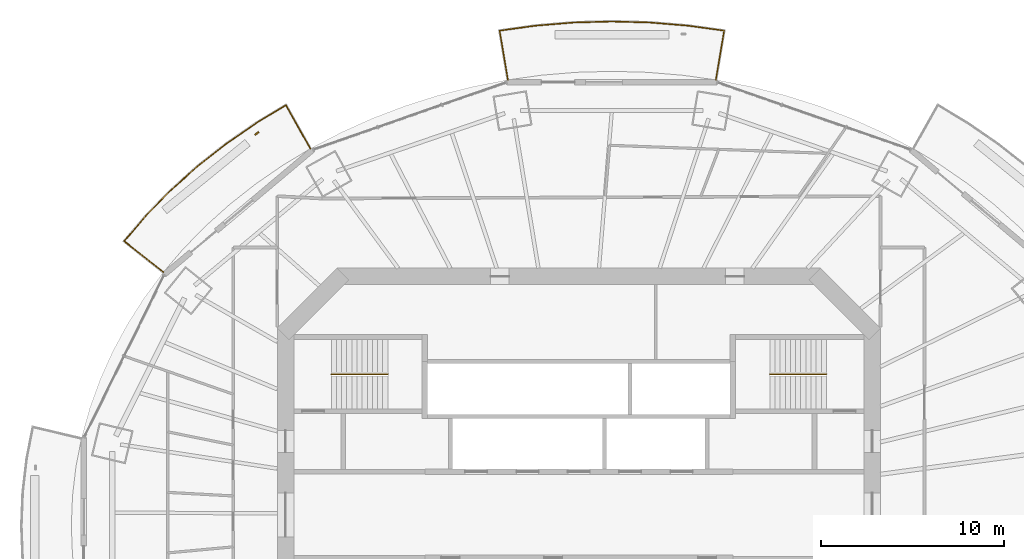
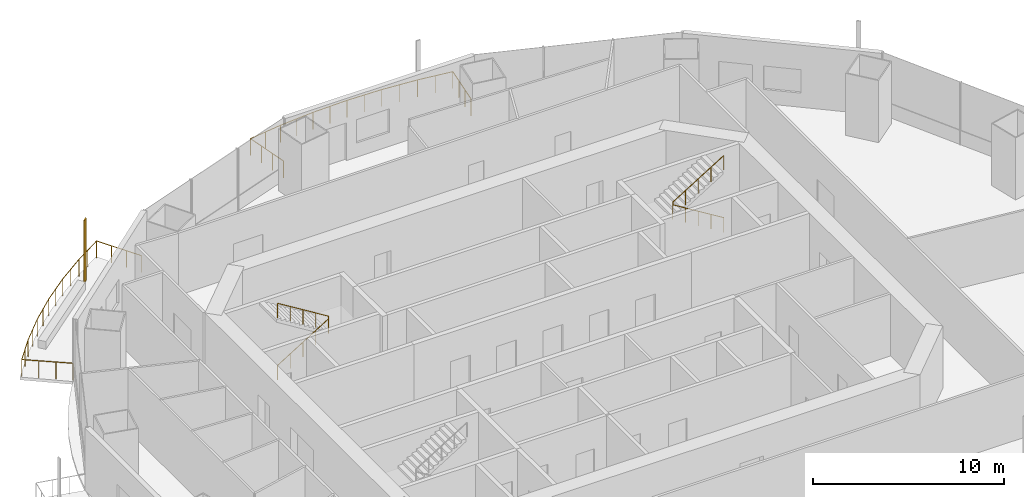
# One storey, part 16 of 18: 4 railings, 1 shading device.
"""IFC4 building model written with IfcOpenShell, lengths in metres."""

from ifc_helpers import new_model, si_unit, direction, frame, origin, origin_2d, place, context, subcontext, project, spatial, rectangle, circle, extrude, material, material_profile, profile_set, type_object, element, save


model = new_model("IFC4")

# Units and contexts
model_context = context("Model", 3, precision=1e-05, world=origin(), true_north=direction((0.0, 1.0)))
body_context = subcontext(model_context, "Body", "Model", "MODEL_VIEW")
ifc_project = project(units=[si_unit("LENGTHUNIT", "METRE"), si_unit("AREAUNIT", "SQUARE_METRE"), si_unit("VOLUMEUNIT", "CUBIC_METRE"), si_unit("PLANEANGLEUNIT", "RADIAN"), si_unit("MASSUNIT", "GRAM", prefix="KILO")], contexts=[model_context])

# Site, building, storey
site_placement = place(None, origin())
site = spatial("IfcSite", under=ifc_project, at=site_placement, CompositionType="ELEMENT")
building_placement = place(site_placement, origin())
building = spatial("IfcBuilding", under=site, at=building_placement, Name="Marenthal Gate Tower", CompositionType="ELEMENT")
storey_placement = place(building_placement, frame((0.0, 0.0, 264.800048828125)))
storey = spatial("IfcBuildingStorey", under=building, at=storey_placement, Name="L59", CompositionType="ELEMENT", Elevation=264.800048828125)

# Railings
ifc_material_1 = material(Name="Stainless steel", Category="steel")
railing_type_1 = type_object("IfcRailingType", Name="Balcony guard 1100", PredefinedType="GUARDRAIL", material=ifc_material_1)
railing_1_placement = place(storey_placement, frame((-3.87255859375, 23.724853515625, 0.0)))
element("IfcRailing", 1, at=railing_1_placement, inside=storey, type_object=railing_type_1, Name="Balcony guard L59 bay 4", PredefinedType="GUARDRAIL", context=body_context, shape_type="SweptSolid", body=[
    extrude(circle(Radius=0.02392578125, at=origin_2d()), frame((0.0, 0.0, 1.076171875), z_axis=(-0.16513793129, 0.986160646201, -0.014718815615), x_axis=(-0.986267486225, -0.165155822229, 0.0)), (0.0, 0.0, 1.0), 2.72021484375),
    extrude(circle(Radius=0.02392578125, at=origin_2d()), frame((-0.44921875, 2.6826171875, 1.0361328125), z_axis=(0.990645127647, 0.136463295684, 0.0), x_axis=(-0.136463295684, 0.990645127647, 0.0)), (0.0, 0.0, 1.0), 1.992919921875),
    extrude(circle(Radius=0.02392578125, at=origin_2d()), frame((1.525146484375, 2.95458984375, 1.0361328125), z_axis=(0.996588596439, 0.082529809449, 0.0), x_axis=(-0.082529809449, 0.996588596439, 0.0)), (0.0, 0.0, 1.0), 2.07666015625),
    extrude(circle(Radius=0.02392578125, at=origin_2d()), frame((3.5947265625, 3.1259765625, 1.0361328125), z_axis=(0.999622258755, 0.027483445958, 0.0), x_axis=(-0.027483445958, 0.999622258755, 0.0)), (0.0, 0.0, 1.0), 2.07861328125),
    extrude(circle(Radius=0.02392578125, at=origin_2d()), frame((5.672607421875, 3.18310546875, 1.0361328125), z_axis=(0.999622258755, -0.027483445958, 0.0), x_axis=(0.027483445958, 0.999622258755, 0.0)), (0.0, 0.0, 1.0), 2.07861328125),
    extrude(circle(Radius=0.02392578125, at=origin_2d()), frame((7.75048828125, 3.1259765625, 1.0361328125), z_axis=(0.996588596439, -0.082529809449, 0.0), x_axis=(0.082529809449, 0.996588596439, 0.0)), (0.0, 0.0, 1.0), 2.07666015625),
    extrude(circle(Radius=0.02392578125, at=origin_2d()), frame((9.820068359375, 2.95458984375, 1.0361328125), z_axis=(0.990642846037, -0.136479857839, 0.0), x_axis=(0.136479857839, 0.990642846037, 0.0)), (0.0, 0.0, 1.0), 1.99267578125),
    extrude(circle(Radius=0.02392578125, at=origin_2d()), frame((11.794189453125, 2.6826171875, 1.0361328125), z_axis=(-0.165050627973, -0.986175258386, 0.014719033707), x_axis=(0.986282103159, -0.165068509984, 0.0)), (0.0, 0.0, 1.0), 2.72021484375),
    extrude(circle(Radius=0.02099609375, at=origin_2d()), origin(), (0.0, 0.0, 1.0), 1.052001953125),
    extrude(circle(Radius=0.02099609375, at=origin_2d()), frame((-0.149658203125, 0.894287109375, -0.013427734375)), (0.0, 0.0, 1.0), 1.052001953125),
    extrude(circle(Radius=0.02099609375, at=origin_2d()), frame((-0.299560546875, 1.788330078125, -0.026611328125)), (0.0, 0.0, 1.0), 1.052001953125),
    extrude(circle(Radius=0.02099609375, at=origin_2d()), frame((-0.44921875, 2.6826171875, -0.0400390625)), (0.0, 0.0, 1.0), 1.052001953125),
    extrude(circle(Radius=0.02099609375, at=origin_2d()), frame((0.5380859375, 2.818603515625, -0.0400390625)), (0.0, 0.0, 1.0), 1.052001953125),
    extrude(circle(Radius=0.02099609375, at=origin_2d()), frame((1.525146484375, 2.95458984375, -0.0400390625)), (0.0, 0.0, 1.0), 1.052001953125),
    extrude(circle(Radius=0.02099609375, at=origin_2d()), frame((2.56005859375, 3.040283203125, -0.0400390625)), (0.0, 0.0, 1.0), 1.052001953125),
    extrude(circle(Radius=0.02099609375, at=origin_2d()), frame((3.5947265625, 3.1259765625, -0.0400390625)), (0.0, 0.0, 1.0), 1.052001953125),
    extrude(circle(Radius=0.02099609375, at=origin_2d()), frame((4.6337890625, 3.154541015625, -0.0400390625)), (0.0, 0.0, 1.0), 1.052001953125),
    extrude(circle(Radius=0.02099609375, at=origin_2d()), frame((5.672607421875, 3.18310546875, -0.0400390625)), (0.0, 0.0, 1.0), 1.052001953125),
    extrude(circle(Radius=0.02099609375, at=origin_2d()), frame((6.71142578125, 3.154541015625, -0.0400390625)), (0.0, 0.0, 1.0), 1.052001953125),
    extrude(circle(Radius=0.02099609375, at=origin_2d()), frame((7.75048828125, 3.1259765625, -0.0400390625)), (0.0, 0.0, 1.0), 1.052001953125),
    extrude(circle(Radius=0.02099609375, at=origin_2d()), frame((8.78515625, 3.040283203125, -0.0400390625)), (0.0, 0.0, 1.0), 1.052001953125),
    extrude(circle(Radius=0.02099609375, at=origin_2d()), frame((9.820068359375, 2.95458984375, -0.0400390625)), (0.0, 0.0, 1.0), 1.052001953125),
    extrude(circle(Radius=0.02099609375, at=origin_2d()), frame((10.80712890625, 2.818603515625, -0.0400390625)), (0.0, 0.0, 1.0), 1.052001953125),
    extrude(circle(Radius=0.02099609375, at=origin_2d()), frame((11.794189453125, 2.6826171875, -0.0400390625)), (0.0, 0.0, 1.0), 1.052001953125),
    extrude(circle(Radius=0.02099609375, at=origin_2d()), frame((11.64453125, 1.788330078125, -0.026611328125)), (0.0, 0.0, 1.0), 1.052001953125),
    extrude(circle(Radius=0.02099609375, at=origin_2d()), frame((11.494873046875, 0.894287109375, -0.013427734375)), (0.0, 0.0, 1.0), 1.052001953125),
    extrude(circle(Radius=0.02099609375, at=origin_2d()), frame((11.34521484375, 0.0, 0.0)), (0.0, 0.0, 1.0), 1.052001953125),
])
railing_2_placement = place(storey_placement, frame((-22.662841796875, 13.234130859375, 0.0)))
element("IfcRailing", 2, at=railing_2_placement, inside=storey, type_object=railing_type_1, Name="Balcony guard L59 bay 6", PredefinedType="GUARDRAIL", context=body_context, shape_type="SweptSolid", body=[
    extrude(circle(Radius=0.02392578125, at=origin_2d()), frame((0.0, 0.0, 1.076171875), z_axis=(-0.783133988628, 0.621678792027, -0.014718539323), x_axis=(-0.621746141787, -0.783218829685, 0.0)), (0.0, 0.0, 1.0), 2.72021484375),
    extrude(circle(Radius=0.02392578125, at=origin_2d()), frame((-2.13037109375, 1.691162109375, 1.0361328125), z_axis=(0.649762582355, 0.760137215621, 0.0), x_axis=(-0.760137215621, 0.649762582355, 0.0)), (0.0, 0.0, 1.0), 1.838134765625),
    extrude(circle(Radius=0.02392578125, at=origin_2d()), frame((-0.93603515625, 3.08837890625, 1.0361328125), z_axis=(0.698468992186, 0.715640319543, 0.0), x_axis=(-0.715640319543, 0.698468992186, 0.0)), (0.0, 0.0, 1.0), 1.93359375),
    extrude(circle(Radius=0.02392578125, at=origin_2d()), frame((0.41455078125, 4.47216796875, 1.0361328125), z_axis=(0.744090634805, 0.668078683387, 0.0), x_axis=(-0.668078683387, 0.744090634805, 0.0)), (0.0, 0.0, 1.0), 1.94970703125),
    extrude(circle(Radius=0.02392578125, at=origin_2d()), frame((1.865234375, 5.774658203125, 1.0361328125), z_axis=(0.78557216762, 0.618770045705, 0.0), x_axis=(-0.618770045705, 0.78557216762, 0.0)), (0.0, 0.0, 1.0), 1.965576171875),
    extrude(circle(Radius=0.02392578125, at=origin_2d()), frame((3.409423828125, 6.990966796875, 1.0361328125), z_axis=(0.823034037929, 0.567992053122, 0.0), x_axis=(-0.567992053122, 0.823034037929, 0.0)), (0.0, 0.0, 1.0), 1.9814453125),
    extrude(circle(Radius=0.02392578125, at=origin_2d()), frame((5.040283203125, 8.116455078125, 1.0361328125), z_axis=(0.855836862024, 0.517245846383, 0.0), x_axis=(-0.517245846383, 0.855836862024, 0.0)), (0.0, 0.0, 1.0), 1.917236328125),
    extrude(circle(Radius=0.02392578125, at=origin_2d()), frame((6.68115234375, 9.108154296875, 1.0361328125), z_axis=(0.490110126521, -0.87153624586, 0.01471856084), x_axis=(0.871630664279, 0.490163222905, 0.0)), (0.0, 0.0, 1.0), 2.72021484375),
    extrude(circle(Radius=0.02099609375, at=origin_2d()), origin(), (0.0, 0.0, 1.0), 1.052001953125),
    extrude(circle(Radius=0.02099609375, at=origin_2d()), frame((-0.710205078125, 0.563720703125, -0.013427734375)), (0.0, 0.0, 1.0), 1.052001953125),
    extrude(circle(Radius=0.02099609375, at=origin_2d()), frame((-1.420166015625, 1.12744140625, -0.026611328125)), (0.0, 0.0, 1.0), 1.052001953125),
    extrude(circle(Radius=0.02099609375, at=origin_2d()), frame((-2.13037109375, 1.691162109375, -0.0400390625)), (0.0, 0.0, 1.0), 1.052001953125),
    extrude(circle(Radius=0.02099609375, at=origin_2d()), frame((-1.533203125, 2.3896484375, -0.0400390625)), (0.0, 0.0, 1.0), 1.052001953125),
    extrude(circle(Radius=0.02099609375, at=origin_2d()), frame((-0.93603515625, 3.08837890625, -0.0400390625)), (0.0, 0.0, 1.0), 1.052001953125),
    extrude(circle(Radius=0.02099609375, at=origin_2d()), frame((-0.2607421875, 3.7802734375, -0.0400390625)), (0.0, 0.0, 1.0), 1.052001953125),
    extrude(circle(Radius=0.02099609375, at=origin_2d()), frame((0.41455078125, 4.47216796875, -0.0400390625)), (0.0, 0.0, 1.0), 1.052001953125),
    extrude(circle(Radius=0.02099609375, at=origin_2d()), frame((1.139892578125, 5.12353515625, -0.0400390625)), (0.0, 0.0, 1.0), 1.052001953125),
    extrude(circle(Radius=0.02099609375, at=origin_2d()), frame((1.865234375, 5.774658203125, -0.0400390625)), (0.0, 0.0, 1.0), 1.052001953125),
    extrude(circle(Radius=0.02099609375, at=origin_2d()), frame((2.63720703125, 6.3828125, -0.0400390625)), (0.0, 0.0, 1.0), 1.052001953125),
    extrude(circle(Radius=0.02099609375, at=origin_2d()), frame((3.409423828125, 6.990966796875, -0.0400390625)), (0.0, 0.0, 1.0), 1.052001953125),
    extrude(circle(Radius=0.02099609375, at=origin_2d()), frame((4.224853515625, 7.5537109375, -0.0400390625)), (0.0, 0.0, 1.0), 1.052001953125),
    extrude(circle(Radius=0.02099609375, at=origin_2d()), frame((5.040283203125, 8.116455078125, -0.0400390625)), (0.0, 0.0, 1.0), 1.052001953125),
    extrude(circle(Radius=0.02099609375, at=origin_2d()), frame((5.86083984375, 8.6123046875, -0.0400390625)), (0.0, 0.0, 1.0), 1.052001953125),
    extrude(circle(Radius=0.02099609375, at=origin_2d()), frame((6.68115234375, 9.108154296875, -0.0400390625)), (0.0, 0.0, 1.0), 1.052001953125),
    extrude(circle(Radius=0.02099609375, at=origin_2d()), frame((7.12548828125, 8.31787109375, -0.026611328125)), (0.0, 0.0, 1.0), 1.052001953125),
    extrude(circle(Radius=0.02099609375, at=origin_2d()), frame((7.570068359375, 7.527587890625, -0.013427734375)), (0.0, 0.0, 1.0), 1.052001953125),
    extrude(circle(Radius=0.02099609375, at=origin_2d()), frame((8.014404296875, 6.7373046875, 0.0)), (0.0, 0.0, 1.0), 1.052001953125),
])
ifc_material_2 = material(Name="Stainless steel", Category="steel")
railing_type_2 = type_object("IfcRailingType", Name="Stair handrail", PredefinedType="HANDRAIL", material=ifc_material_2)
railing_3_placement = place(storey_placement, frame((-13.5, 7.675048828125, 0.1728515625)))
element("IfcRailing", 3, at=railing_3_placement, inside=storey, type_object=railing_type_2, Name="Handrail ST1", PredefinedType="HANDRAIL", context=body_context, shape_type="SweptSolid", body=[
    extrude(circle(Radius=0.0224609375, at=origin_2d()), frame((0.0, 0.0, 0.927490234375), z_axis=(0.850835241893, 0.0, 0.525432575268), x_axis=(0.0, 1.0, 0.0)), (0.0, 0.0, 1.0), 3.6201171875),
    extrude(circle(Radius=0.0224609375, at=origin_2d()), frame((3.080078125, 0.0, 2.82958984375), z_axis=(0.0, 0.0, 1.0), x_axis=(1.0, 0.0, 0.0)), (0.0, 0.0, 1.0), 0.1728515625),
    extrude(circle(Radius=0.0224609375, at=origin_2d()), frame((3.080078125, 0.0, 3.00244140625), z_axis=(-0.850835241893, 0.0, 0.525432575268), x_axis=(0.0, -1.0, 0.0)), (0.0, 0.0, 1.0), 3.6201171875),
    extrude(circle(Radius=0.02001953125, at=origin_2d()), origin(), (0.0, 0.0, 1.0), 0.905029296875),
    extrude(circle(Radius=0.02001953125, at=origin_2d()), frame((0.77001953125, 0.0, 0.4755859375)), (0.0, 0.0, 1.0), 0.905029296875),
    extrude(circle(Radius=0.02001953125, at=origin_2d()), frame((1.5400390625, 0.0, 0.951171875)), (0.0, 0.0, 1.0), 0.905029296875),
    extrude(circle(Radius=0.02001953125, at=origin_2d()), frame((2.31005859375, 0.0, 1.426513671875)), (0.0, 0.0, 1.0), 0.905029296875),
    extrude(circle(Radius=0.02001953125, at=origin_2d()), frame((3.080078125, 0.0, 1.902099609375)), (0.0, 0.0, 1.0), 0.905029296875),
    extrude(circle(Radius=0.02001953125, at=origin_2d()), frame((3.080078125, 0.0, 2.074951171875)), (0.0, 0.0, 1.0), 0.905029296875),
    extrude(circle(Radius=0.02001953125, at=origin_2d()), frame((2.31005859375, 0.0, 2.550537109375)), (0.0, 0.0, 1.0), 0.905029296875),
    extrude(circle(Radius=0.02001953125, at=origin_2d()), frame((1.5400390625, 0.0, 3.02587890625)), (0.0, 0.0, 1.0), 0.905029296875),
    extrude(circle(Radius=0.02001953125, at=origin_2d()), frame((0.77001953125, 0.0, 3.50146484375)), (0.0, 0.0, 1.0), 0.905029296875),
    extrude(circle(Radius=0.02001953125, at=origin_2d()), frame((0.0, 0.0, 3.97705078125)), (0.0, 0.0, 1.0), 0.905029296875),
])
railing_4_placement = place(storey_placement, frame((13.5, 7.675048828125, 0.1728515625)))
element("IfcRailing", 4, at=railing_4_placement, inside=storey, type_object=railing_type_2, Name="Handrail ST3", PredefinedType="HANDRAIL", context=body_context, shape_type="SweptSolid", body=[
    extrude(circle(Radius=0.0224609375, at=origin_2d()), frame((0.0, 0.0, 0.927490234375), z_axis=(-0.850835241893, 0.0, 0.525432575268), x_axis=(0.0, -1.0, 0.0)), (0.0, 0.0, 1.0), 3.6201171875),
    extrude(circle(Radius=0.0224609375, at=origin_2d()), frame((-3.080078125, 0.0, 2.82958984375), z_axis=(0.0, 0.0, 1.0), x_axis=(1.0, 0.0, 0.0)), (0.0, 0.0, 1.0), 0.1728515625),
    extrude(circle(Radius=0.0224609375, at=origin_2d()), frame((-3.080078125, 0.0, 3.00244140625), z_axis=(0.850835241893, 0.0, 0.525432575268), x_axis=(0.0, 1.0, 0.0)), (0.0, 0.0, 1.0), 3.6201171875),
    extrude(circle(Radius=0.02001953125, at=origin_2d()), origin(), (0.0, 0.0, 1.0), 0.905029296875),
    extrude(circle(Radius=0.02001953125, at=origin_2d()), frame((-0.77001953125, 0.0, 0.4755859375)), (0.0, 0.0, 1.0), 0.905029296875),
    extrude(circle(Radius=0.02001953125, at=origin_2d()), frame((-1.5400390625, 0.0, 0.951171875)), (0.0, 0.0, 1.0), 0.905029296875),
    extrude(circle(Radius=0.02001953125, at=origin_2d()), frame((-2.31005859375, 0.0, 1.426513671875)), (0.0, 0.0, 1.0), 0.905029296875),
    extrude(circle(Radius=0.02001953125, at=origin_2d()), frame((-3.080078125, 0.0, 1.902099609375)), (0.0, 0.0, 1.0), 0.905029296875),
    extrude(circle(Radius=0.02001953125, at=origin_2d()), frame((-3.080078125, 0.0, 2.074951171875)), (0.0, 0.0, 1.0), 0.905029296875),
    extrude(circle(Radius=0.02001953125, at=origin_2d()), frame((-2.31005859375, 0.0, 2.550537109375)), (0.0, 0.0, 1.0), 0.905029296875),
    extrude(circle(Radius=0.02001953125, at=origin_2d()), frame((-1.5400390625, 0.0, 3.02587890625)), (0.0, 0.0, 1.0), 0.905029296875),
    extrude(circle(Radius=0.02001953125, at=origin_2d()), frame((-0.77001953125, 0.0, 3.50146484375)), (0.0, 0.0, 1.0), 0.905029296875),
    extrude(circle(Radius=0.02001953125, at=origin_2d()), frame((0.0, 0.0, 3.97705078125)), (0.0, 0.0, 1.0), 0.905029296875),
])

# Shading device
ifc_material_3 = material(Name="Terracotta", Category="masonry")
ifc_material_profile = material_profile(ifc_material_3, rectangle(XDim=0.25, YDim=0.080078125, at=origin_2d()), Name="Terracotta baguette 250x80")
ifc_profile_set = profile_set([ifc_material_profile], Name="Terracotta")
shading_device_type = type_object("IfcShadingDeviceType", Name="Terracotta BAGUETTE SCREEN 250x80", PredefinedType="USERDEFINED", material=ifc_profile_set)
shading_device_placement = place(storey_placement, frame((-17.5654296875, 20.80078125, -0.0400390625), z_axis=(0.0, 0.0, 1.0), x_axis=(-0.765301302142, -0.64367221234, 0.0)))
element("IfcShadingDevice", 5, at=shading_device_placement, inside=storey, type_object=shading_device_type, Name="Terracotta BAGUETTE L59 bay 6L", ObjectType="BAGUETTE SCREEN", PredefinedType="USERDEFINED", context=body_context, shape_type="SweptSolid", body=[
    extrude(rectangle(XDim=0.25, YDim=0.080078125, at=origin_2d()), origin(), (0.0, 0.0, 1.0), 3.969970703125),
])

save(model, "model.ifc")
